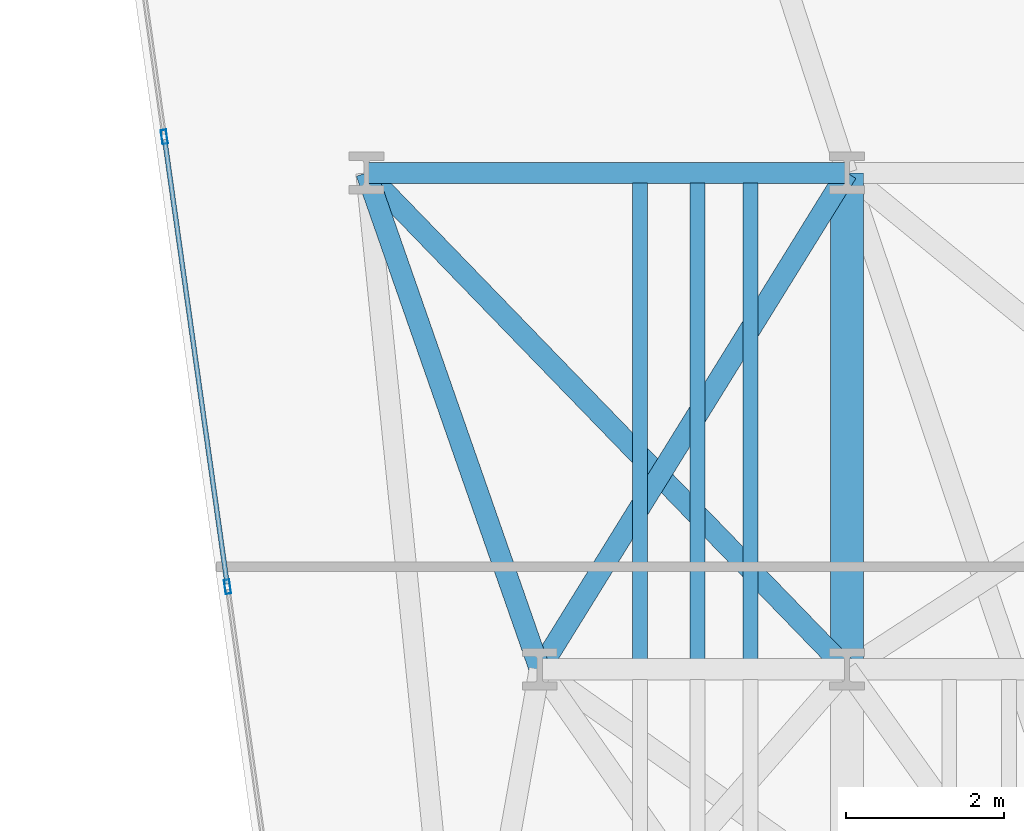
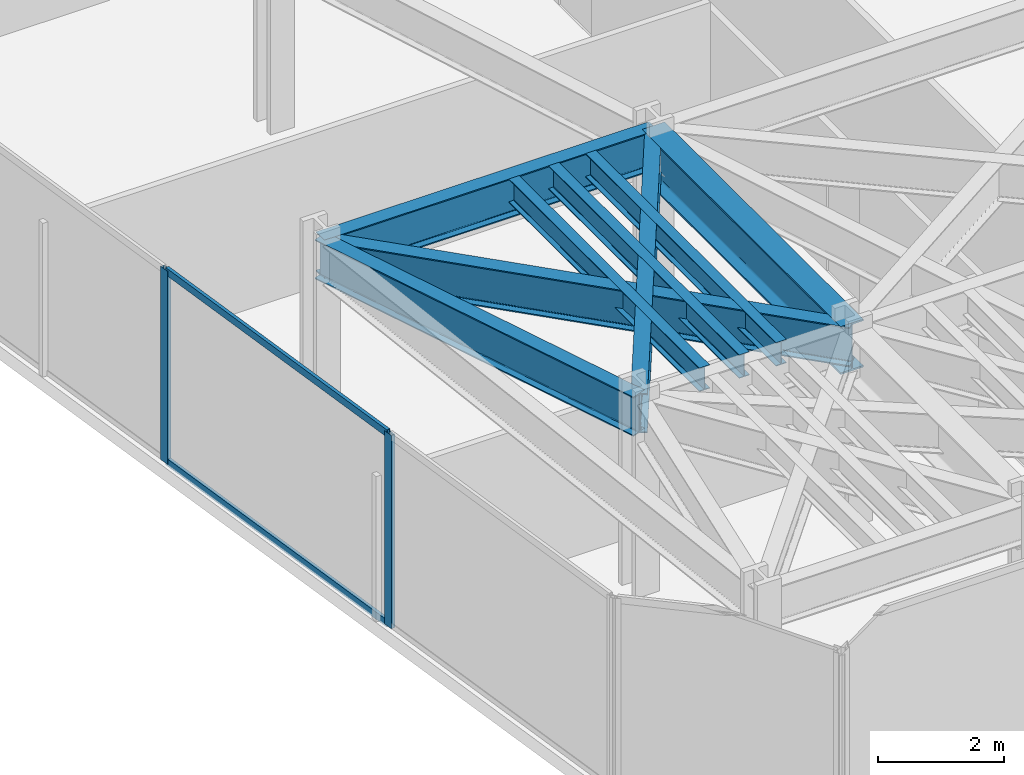
# One storey, part 4 of 25: 8 beams, 4 members, 1 element without a shape of its own.
"""IFC4 building model written with IfcOpenShell, lengths in metres."""

from ifc_helpers import new_model, si_unit, direction, frame, origin, origin_2d, place, context, subcontext, project, spatial, hollow_rectangle, i_section, extrude, material, layer, layer_set, material_profile, profile_set, type_object, element, aggregate, save


model = new_model("IFC4")

# Units and contexts
model_context = context("Model", 3, precision=1e-05, world=origin(), true_north=direction((0.0, 1.0)))
body_context = subcontext(model_context, "Body", "Model", "MODEL_VIEW")
ifc_project = project(units=[si_unit("LENGTHUNIT", "METRE"), si_unit("AREAUNIT", "SQUARE_METRE"), si_unit("VOLUMEUNIT", "CUBIC_METRE"), si_unit("PLANEANGLEUNIT", "RADIAN"), si_unit("MASSUNIT", "GRAM", prefix="KILO")], contexts=[model_context])

# Site, building, storey
site_placement = place(None, origin())
site = spatial("IfcSite", under=ifc_project, at=site_placement, CompositionType="ELEMENT")
building_placement = place(site_placement, origin())
building = spatial("IfcBuilding", under=site, at=building_placement, Name="Kravanh Interchange Tower", CompositionType="ELEMENT")
storey_placement = place(building_placement, frame((0.0, 0.0, 33.5)))
storey = spatial("IfcBuildingStorey", under=building, at=storey_placement, Name="L07", CompositionType="ELEMENT", Elevation=33.5)

# Curtain wall, members
ifc_material_1 = material(Name="Anodised Bronze Aluminium", Category="aluminium")
ifc_layer = layer(ifc_material_1, 0.179931640625)
ifc_layer_set = layer_set([ifc_layer], Name="Unitised Curtain Wall System CW-Z1 Lower Office")
curtain_wall_type = type_object("IfcCurtainWallType", Name="Unitised Curtain Wall System CW-Z1 Lower Office", PredefinedType="NOTDEFINED", material=ifc_layer_set)
curtain_wall_placement = place(storey_placement, origin())
curtain_wall = element("IfcCurtainWall", 1, at=curtain_wall_placement, inside=storey, type_object=curtain_wall_type, Name="L07 Unitised Curtain Wall CW-L07-01", PredefinedType="NOTDEFINED")
ifc_material_2 = material(Name="Anodised Bronze Aluminium", Category="aluminium")
ifc_material_profile_1 = material_profile(ifc_material_2, hollow_rectangle(XDim=0.070068359375, YDim=0.179931640625, WallThickness=0.00390625, at=origin_2d()), Name="ALU70X180X4")
ifc_profile_set_1 = profile_set([ifc_material_profile_1], Name="Anodised Bronze Aluminium")
member_type_1 = type_object("IfcMemberType", Name="Curtain Wall Mullion ALU70X180X4 Bronze", PredefinedType="MULLION", material=ifc_profile_set_1)
member_1_placement = place(storey_placement, frame((9.6376953125, 9.247314453125, 0.0), z_axis=(0.0, 0.0, 1.0), x_axis=(-0.990267585682, -0.139176538065, 0.0)))
member_1 = element("IfcMember", 2, at=member_1_placement, type_object=member_type_1, Name="CW-Z1 mullion 2", PredefinedType="MULLION", context=body_context, shape_type="SweptSolid", body=[
    extrude(hollow_rectangle(XDim=0.070068359375, YDim=0.179931640625, WallThickness=0.00390625, at=origin_2d()), origin(), (0.0, 0.0, 1.0), 3.739990234375),
])
member_2_placement = place(storey_placement, frame((8.835205078125, 14.957763671875, 0.0), z_axis=(0.0, 0.0, 1.0), x_axis=(-0.990267585682, -0.139176538065, 0.0)))
member_2 = element("IfcMember", 3, at=member_2_placement, type_object=member_type_1, Name="CW-Z1 mullion 3", PredefinedType="MULLION", context=body_context, shape_type="SweptSolid", body=[
    extrude(hollow_rectangle(XDim=0.070068359375, YDim=0.179931640625, WallThickness=0.00390625, at=origin_2d()), origin(), (0.0, 0.0, 1.0), 3.739990234375),
])
ifc_material_3 = material(Name="Anodised Bronze Aluminium", Category="aluminium")
ifc_material_profile_2 = material_profile(ifc_material_3, hollow_rectangle(XDim=0.06005859375, YDim=0.139892578125, WallThickness=0.00390625, at=origin_2d()), Name="ALU60X140X4")
ifc_profile_set_2 = profile_set([ifc_material_profile_2], Name="Anodised Bronze Aluminium")
member_type_2 = type_object("IfcMemberType", Name="Curtain Wall Transom ALU60X140X4 Bronze", PredefinedType="USERDEFINED", material=ifc_profile_set_2)
member_3_placement = place(storey_placement, frame((9.633056640625, 9.281982421875, 0.030029296875), z_axis=(-0.139200984921, 0.990264149506, 0.0), x_axis=(-0.990264149506, -0.139200984921, 0.0)))
member_3 = element("IfcMember", 4, at=member_3_placement, type_object=member_type_2, Name="CW-Z1 transom 2.1", ObjectType="TRANSOM", PredefinedType="USERDEFINED", context=body_context, shape_type="SweptSolid", body=[
    extrude(hollow_rectangle(XDim=0.06005859375, YDim=0.139892578125, WallThickness=0.00390625, at=origin_2d()), origin(), (0.0, 0.0, 1.0), 5.696533203125),
])
member_4_placement = place(storey_placement, frame((9.633056640625, 9.281982421875, 3.7099609375), z_axis=(-0.139200984921, 0.990264149506, 0.0), x_axis=(-0.990264149506, -0.139200984921, 0.0)))
member_4 = element("IfcMember", 5, at=member_4_placement, type_object=member_type_2, Name="CW-Z1 transom 2.2", ObjectType="TRANSOM", PredefinedType="USERDEFINED", context=body_context, shape_type="SweptSolid", body=[
    extrude(hollow_rectangle(XDim=0.06005859375, YDim=0.139892578125, WallThickness=0.00390625, at=origin_2d()), origin(), (0.0, 0.0, 1.0), 5.696533203125),
])
aggregate(curtain_wall, [member_1, member_2, member_3, member_4])

# Beams
ifc_material_4 = material(Name="Structural Steel S355", Category="steel")
ifc_material_profile_3 = material_profile(ifc_material_4, i_section(OverallWidth=0.41796875, OverallDepth=0.927001953125, WebThickness=0.019287109375, FlangeThickness=0.031982421875, FilletRadius=0.028076171875, at=origin_2d()), Name="W36X231")
ifc_profile_set_3 = profile_set([ifc_material_profile_3], Name="Structural Steel S355")
beam_type_1 = type_object("IfcBeamType", Name="Floor Beam W36X231 Structural Steel S355", PredefinedType="BEAM", material=ifc_profile_set_3)
beam_1_placement = place(storey_placement, frame((17.5, 8.199951171875, 3.276611328125), z_axis=(0.0, 1.0, 0.0), x_axis=(-1.0, 0.0, 0.0)))
element("IfcBeam", 6, at=beam_1_placement, inside=storey, type_object=beam_type_1, Name="L07 Primary Floor Girder 136", PredefinedType="BEAM", context=body_context, shape_type="SweptSolid", body=[
    extrude(i_section(OverallWidth=0.41796875, OverallDepth=0.927001953125, WebThickness=0.019287109375, FlangeThickness=0.031982421875, FilletRadius=0.028076171875, at=origin_2d()), origin(), (0.0, 0.0, 1.0), 6.300048828125),
])
ifc_material_5 = material(Name="Structural Steel S355", Category="steel")
ifc_material_profile_4 = material_profile(ifc_material_5, i_section(OverallWidth=0.18994140625, OverallDepth=0.45703125, WebThickness=0.009033203125, FlangeThickness=0.014404296875, FilletRadius=0.01806640625, at=origin_2d()), Name="W18X50")
ifc_profile_set_4 = profile_set([ifc_material_profile_4], Name="Structural Steel S355")
beam_type_2 = type_object("IfcBeamType", Name="Floor Joist W18X50 Structural Steel S355", PredefinedType="JOIST", material=ifc_profile_set_4)
for number, where, z_axis, x_axis, name in (
    (7, (14.8740234375, 8.32861328125, 3.511474609375), (0.0, 1.0, 0.0), (-1.0, 0.0, 0.0), "L07 Secondary Floor Joist 10"),
    (8, (15.60205078125, 8.32861328125, 3.511474609375), (0.0, 1.0, 0.0), (-1.0, 0.0, 0.0), "L07 Secondary Floor Joist 11"),
    (9, (16.278076171875, 8.32861328125, 3.511474609375), (0.0, 1.0, 0.0), (-1.0, 0.0, 0.0), "L07 Secondary Floor Joist 12"),
):
    element("IfcBeam", number, at=place(storey_placement, frame(where, z_axis=z_axis, x_axis=x_axis)), inside=storey, type_object=beam_type_2, Name=name, PredefinedType="JOIST", context=body_context, shape_type="SweptSolid", body=[
        extrude(i_section(OverallWidth=0.18994140625, OverallDepth=0.45703125, WebThickness=0.009033203125, FlangeThickness=0.014404296875, FilletRadius=0.01806640625, at=origin_2d()), origin(), (0.0, 0.0, 1.0), 6.04296875),
    ])
ifc_material_6 = material(Name="Structural Steel S355", Category="steel")
ifc_material_profile_5 = material_profile(ifc_material_6, i_section(OverallWidth=0.26708984375, OverallDepth=0.761962890625, WebThickness=0.014404296875, FlangeThickness=0.021484375, FilletRadius=0.02490234375, at=origin_2d()), Name="W30X116")
ifc_profile_set_5 = profile_set([ifc_material_profile_5], Name="Structural Steel S355")
beam_type_3 = type_object("IfcBeamType", Name="Floor Spandrel W30X116 Structural Steel S355", PredefinedType="SPANDREL", material=ifc_profile_set_5)
beam_2_placement = place(storey_placement, frame((13.60009765625, 8.199951171875, 3.35888671875), z_axis=(-0.329706642337, 0.944083433812, 0.0), x_axis=(-0.944083433812, -0.329706642337, 0.0)))
element("IfcBeam", 10, at=beam_2_placement, inside=storey, type_object=beam_type_3, Name="L07 Perimeter Spandrel 134", PredefinedType="SPANDREL", context=body_context, shape_type="SweptSolid", body=[
    extrude(i_section(OverallWidth=0.26708984375, OverallDepth=0.761962890625, WebThickness=0.014404296875, FlangeThickness=0.021484375, FilletRadius=0.02490234375, at=origin_2d()), origin(), (0.0, 0.0, 1.0), 6.673095703125),
])
beam_3_placement = place(storey_placement, frame((13.60009765625, 8.199951171875, 3.35888671875), z_axis=(0.5263421368, 0.850272870923, 0.0), x_axis=(-0.850272870923, 0.5263421368, 0.0)))
element("IfcBeam", 11, at=beam_3_placement, inside=storey, type_object=beam_type_3, Name="L07 Perimeter Spandrel 135", PredefinedType="SPANDREL", context=body_context, shape_type="SweptSolid", body=[
    extrude(i_section(OverallWidth=0.26708984375, OverallDepth=0.761962890625, WebThickness=0.014404296875, FlangeThickness=0.021484375, FilletRadius=0.02490234375, at=origin_2d()), origin(), (0.0, 0.0, 1.0), 7.409423828125),
])
beam_4_placement = place(storey_placement, frame((17.5, 8.199951171875, 3.35888671875), z_axis=(-0.695614323867, 0.718415417729, 0.0), x_axis=(-0.718415417729, -0.695614323867, 0.0)))
element("IfcBeam", 12, at=beam_4_placement, inside=storey, type_object=beam_type_3, Name="L07 Perimeter Spandrel 138", PredefinedType="SPANDREL", context=body_context, shape_type="SweptSolid", body=[
    extrude(i_section(OverallWidth=0.26708984375, OverallDepth=0.761962890625, WebThickness=0.014404296875, FlangeThickness=0.021484375, FilletRadius=0.02490234375, at=origin_2d()), origin(), (0.0, 0.0, 1.0), 8.769287109375),
])
beam_5_placement = place(storey_placement, frame((11.39990234375, 14.5, 3.35888671875), z_axis=(1.0, 0.0, 0.0), x_axis=(0.0, 1.0, 0.0)))
element("IfcBeam", 13, at=beam_5_placement, inside=storey, type_object=beam_type_3, Name="L07 Perimeter Spandrel 143", PredefinedType="SPANDREL", context=body_context, shape_type="SweptSolid", body=[
    extrude(i_section(OverallWidth=0.26708984375, OverallDepth=0.761962890625, WebThickness=0.014404296875, FlangeThickness=0.021484375, FilletRadius=0.02490234375, at=origin_2d()), origin(), (0.0, 0.0, 1.0), 6.10009765625),
])

save(model, "model.ifc")
